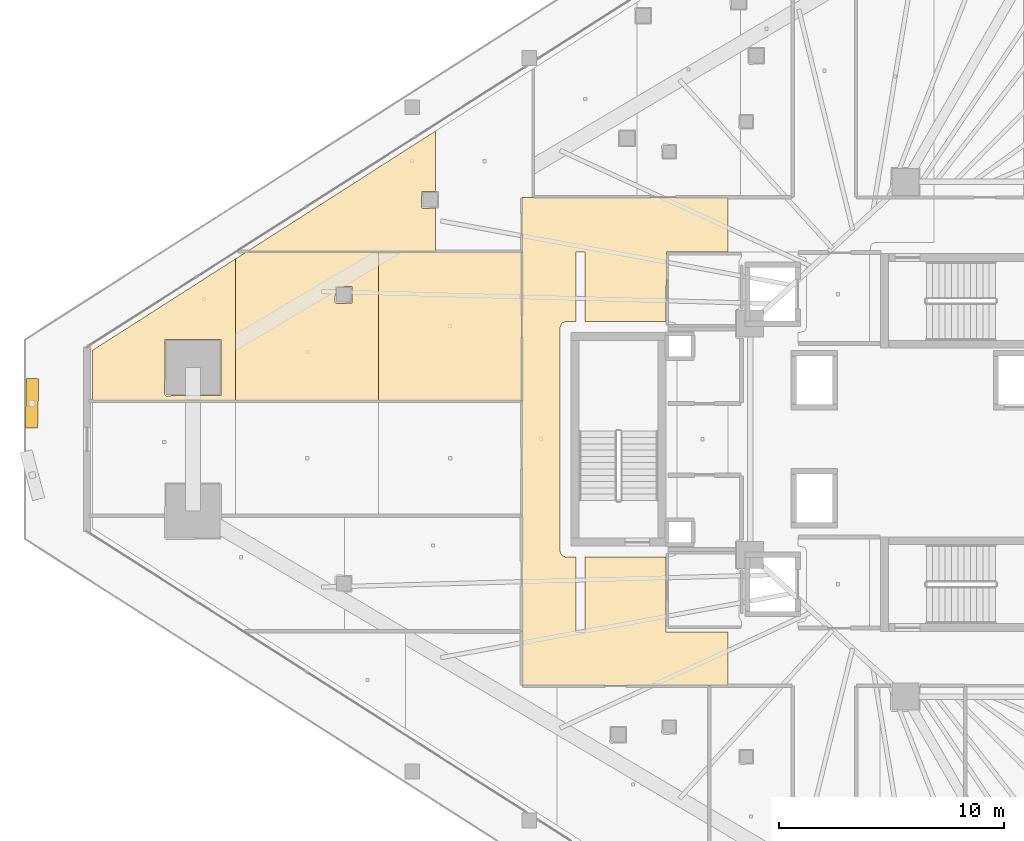
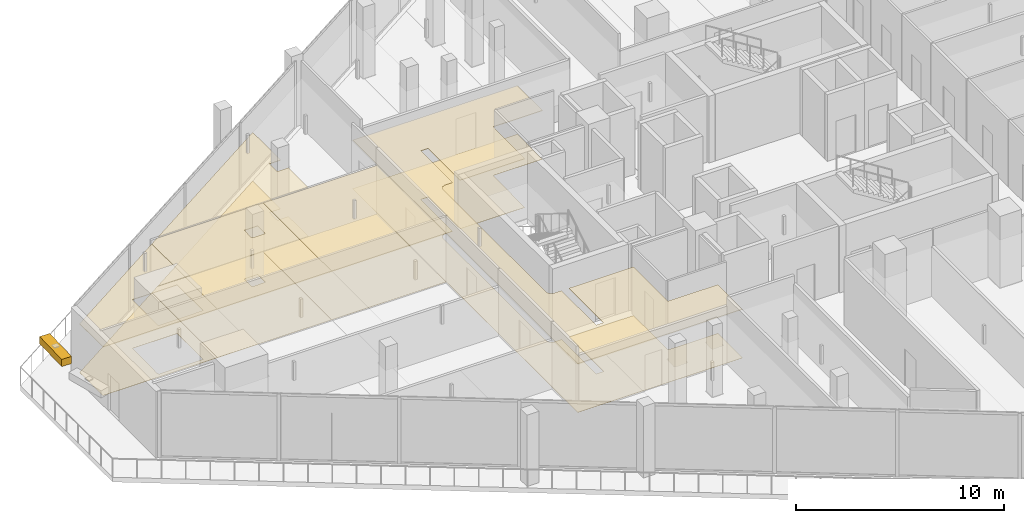
# One storey, part 40 of 44: 10 coverings, 1 shading device.
"""IFC4 building model written with IfcOpenShell, lengths in metres."""

from ifc_helpers import new_model, si_unit, direction, frame, origin, origin_2d, place, context, subcontext, project, spatial, polyline, rectangle, outline, extrude, material, layer, layer_set, type_object, element, save


model = new_model("IFC4")

# Units and contexts
model_context = context("Model", 3, precision=1e-05, world=origin(), true_north=direction((0.0, 1.0)))
body_context = subcontext(model_context, "Body", "Model", "MODEL_VIEW")
ifc_project = project(units=[si_unit("LENGTHUNIT", "METRE"), si_unit("AREAUNIT", "SQUARE_METRE"), si_unit("VOLUMEUNIT", "CUBIC_METRE"), si_unit("PLANEANGLEUNIT", "RADIAN"), si_unit("MASSUNIT", "GRAM", prefix="KILO")], contexts=[model_context])

# Site, building, storey
site_placement = place(None, origin())
site = spatial("IfcSite", under=ifc_project, at=site_placement, CompositionType="ELEMENT")
building_placement = place(site_placement, origin())
building = spatial("IfcBuilding", under=site, at=building_placement, Name="Qorvath Tower", CompositionType="ELEMENT")
storey_placement = place(building_placement, frame((0.0, 0.0, 57.60009765625)))
storey = spatial("IfcBuildingStorey", under=building, at=storey_placement, Name="L12", CompositionType="ELEMENT", Elevation=57.60009765625)

# Coverings
ifc_material_1 = material(Name="Acoustic mineral fibre ceiling tile", Category="gypsum")
ifc_layer_1 = layer(ifc_material_1, 0.030029296875)
ifc_layer_set_1 = layer_set([ifc_layer_1], Name="COV-CEIL")
covering_type_1 = type_object("IfcCoveringType", Name="COV-CEIL", PredefinedType="CEILING", material=ifc_layer_set_1)
covering_1_placement = place(storey_placement, frame((0.0, 0.0, 2.849853515625)))
element("IfcCovering", 1, at=covering_1_placement, inside=storey, type_object=covering_type_1, Name="L12 Suspended Acoustic Ceiling 007", PredefinedType="CEILING", context=body_context, shape_type="SweptSolid", body=[
    extrude(outline(polyline([(-31.481689453125, -10.946044921875), (-31.481689453125, -8.564697265625), (-34.25, -8.56494140625), (-34.2548828125, -5.239990234375), (-37.844970703125, -5.239990234375), (-37.844970703125, -8.580078125), (-38.2548828125, -8.580078125), (-38.2548828125, -5.239990234375), (-38.699951171875, -5.239990234375), (-38.876708984375, -5.166748046875), (-38.949951171875, -4.989990234375), (-38.949951171875, 4.989990234375), (-38.876708984375, 5.166748046875), (-38.699951171875, 5.239990234375), (-38.2548828125, 5.239990234375), (-38.25341796875, 8.323486328125), (-37.844970703125, 8.320068359375), (-37.844970703125, 5.239990234375), (-34.2509765625, 5.239990234375), (-34.219970703125, 8.324951171875), (-31.481689453125, 8.324951171875), (-31.481689453125, 10.74609375), (-40.64501953125, 10.7451171875), (-40.64501953125, -10.945068359375), (-31.481689453125, -10.946044921875)])), origin(), (0.0, 0.0, 1.0), 0.030029296875),
])
covering_2_placement = place(storey_placement, frame((0.0, 0.0, 2.849853515625)))
element("IfcCovering", 2, at=covering_2_placement, inside=storey, type_object=covering_type_1, Name="L12 Suspended Acoustic Ceiling 010", PredefinedType="CEILING", context=body_context, shape_type="SweptSolid", body=[
    extrude(outline(polyline([(-44.486083984375, 8.35498046875), (-44.486083984375, 10.281982421875), (-45.061279296875, 10.267333984375), (-45.121337890625, 10.327392578125), (-45.103759765625, 11.019775390625), (-44.486083984375, 11.019775390625), (-44.486083984375, 13.715087890625), (-52.87255859375, 8.35498046875), (-44.486083984375, 8.35498046875)])), origin(), (0.0, 0.0, 1.0), 0.030029296875),
])
covering_3_placement = place(storey_placement, frame((0.0, 0.0, 2.849853515625)))
element("IfcCovering", 3, at=covering_3_placement, inside=storey, type_object=covering_type_1, Name="L12 Suspended Acoustic Ceiling 045", PredefinedType="CEILING", context=body_context, shape_type="SweptSolid", body=[
    extrude(outline(polyline([(-53.38330078125, 1.716064453125), (-53.38330078125, 8.028564453125), (-59.743408203125, 3.963623046875), (-59.743408203125, 1.716064453125), (-53.38330078125, 1.716064453125)]), holes=[polyline([(-56.54296875, 1.994384765625), (-56.525390625, 4.43701171875), (-54.04052734375, 4.43701171875), (-54.04052734375, 1.9521484375), (-56.48291015625, 1.9345703125), (-56.54296875, 1.994384765625)])]), origin(), (0.0, 0.0, 1.0), 0.030029296875),
])
covering_4_placement = place(storey_placement, frame((0.0, 0.0, 2.849853515625)))
element("IfcCovering", 4, at=covering_4_placement, inside=storey, type_object=covering_type_1, Name="L12 Suspended Acoustic Ceiling 046", PredefinedType="CEILING", context=body_context, shape_type="SweptSolid", body=[
    extrude(outline(polyline([(-47.023193359375, 1.716064453125), (-47.023193359375, 8.3369140625), (-52.900634765625, 8.3369140625), (-53.38330078125, 8.028564453125), (-53.38330078125, 1.716064453125), (-47.023193359375, 1.716064453125)]), holes=[polyline([(-48.96337890625, 6.099609375), (-48.94580078125, 6.7919921875), (-48.2109375, 6.7919921875), (-48.2109375, 6.05712890625), (-48.9033203125, 6.03955078125), (-48.96337890625, 6.099609375)])]), origin(), (0.0, 0.0, 1.0), 0.030029296875),
])
covering_5_placement = place(storey_placement, frame((0.0, 0.0, 2.849853515625)))
element("IfcCovering", 5, at=covering_5_placement, inside=storey, type_object=covering_type_1, Name="L12 Suspended Acoustic Ceiling 047", PredefinedType="CEILING", context=body_context, shape_type="SweptSolid", body=[
    extrude(outline(polyline([(-40.6630859375, 1.716064453125), (-40.6630859375, 8.3369140625), (-47.023193359375, 8.3369140625), (-47.023193359375, 1.716064453125), (-40.6630859375, 1.716064453125)])), origin(), (0.0, 0.0, 1.0), 0.030029296875),
])
ifc_material_2 = material(Name="Low-VOC modular carpet tile", Category="textile")
ifc_layer_2 = layer(ifc_material_2, 0.014892578125)
ifc_layer_set_2 = layer_set([ifc_layer_2], Name="COV-FLOOR-CPT")
covering_type_2 = type_object("IfcCoveringType", Name="COV-FLOOR-CPT", PredefinedType="FLOORING", material=ifc_layer_set_2)
covering_6_placement = place(storey_placement, origin())
element("IfcCovering", 6, at=covering_6_placement, inside=storey, type_object=covering_type_2, Name="L12 Floor Finish 010", PredefinedType="FLOORING", context=body_context, shape_type="SweptSolid", body=[
    extrude(outline(polyline([(-44.486083984375, 8.35498046875), (-44.486083984375, 10.281982421875), (-45.061279296875, 10.267333984375), (-45.121337890625, 10.327392578125), (-45.103759765625, 11.019775390625), (-44.486083984375, 11.019775390625), (-44.486083984375, 13.715087890625), (-52.87255859375, 8.35498046875), (-44.486083984375, 8.35498046875)])), origin(), (0.0, 0.0, 1.0), 0.014892578125),
])
covering_7_placement = place(storey_placement, origin())
element("IfcCovering", 7, at=covering_7_placement, inside=storey, type_object=covering_type_2, Name="L12 Floor Finish 045", PredefinedType="FLOORING", context=body_context, shape_type="SweptSolid", body=[
    extrude(outline(polyline([(-53.38330078125, 1.716064453125), (-53.38330078125, 8.028564453125), (-59.743408203125, 3.963623046875), (-59.743408203125, 1.716064453125), (-53.38330078125, 1.716064453125)]), holes=[polyline([(-56.54296875, 1.994384765625), (-56.525390625, 4.43701171875), (-54.04052734375, 4.43701171875), (-54.04052734375, 1.9521484375), (-56.48291015625, 1.9345703125), (-56.54296875, 1.994384765625)])]), origin(), (0.0, 0.0, 1.0), 0.014892578125),
])
covering_8_placement = place(storey_placement, origin())
element("IfcCovering", 8, at=covering_8_placement, inside=storey, type_object=covering_type_2, Name="L12 Floor Finish 046", PredefinedType="FLOORING", context=body_context, shape_type="SweptSolid", body=[
    extrude(outline(polyline([(-47.023193359375, 1.716064453125), (-47.023193359375, 8.3369140625), (-52.900634765625, 8.3369140625), (-53.38330078125, 8.028564453125), (-53.38330078125, 1.716064453125), (-47.023193359375, 1.716064453125)]), holes=[polyline([(-48.96337890625, 6.099609375), (-48.94580078125, 6.7919921875), (-48.2109375, 6.7919921875), (-48.2109375, 6.05712890625), (-48.9033203125, 6.03955078125), (-48.96337890625, 6.099609375)])]), origin(), (0.0, 0.0, 1.0), 0.014892578125),
])
covering_9_placement = place(storey_placement, origin())
element("IfcCovering", 9, at=covering_9_placement, inside=storey, type_object=covering_type_2, Name="L12 Floor Finish 047", PredefinedType="FLOORING", context=body_context, shape_type="SweptSolid", body=[
    extrude(outline(polyline([(-40.6630859375, 1.716064453125), (-40.6630859375, 8.3369140625), (-47.023193359375, 8.3369140625), (-47.023193359375, 1.716064453125), (-40.6630859375, 1.716064453125)])), origin(), (0.0, 0.0, 1.0), 0.014892578125),
])
ifc_material_3 = material(Name="Polished epoxy terrazzo flooring", Category="concrete")
ifc_layer_3 = layer(ifc_material_3, 0.02001953125)
ifc_layer_set_3 = layer_set([ifc_layer_3], Name="COV-FLOOR-TRZ")
covering_type_3 = type_object("IfcCoveringType", Name="COV-FLOOR-TRZ", PredefinedType="FLOORING", material=ifc_layer_set_3)
covering_10_placement = place(storey_placement, origin())
element("IfcCovering", 10, at=covering_10_placement, inside=storey, type_object=covering_type_3, Name="L12 Floor Finish 007", PredefinedType="FLOORING", context=body_context, shape_type="SweptSolid", body=[
    extrude(outline(polyline([(-31.481689453125, -10.946044921875), (-31.481689453125, -8.564697265625), (-34.25, -8.56494140625), (-34.2548828125, -5.239990234375), (-37.844970703125, -5.239990234375), (-37.844970703125, -8.580078125), (-38.2548828125, -8.580078125), (-38.2548828125, -5.239990234375), (-38.699951171875, -5.239990234375), (-38.876708984375, -5.166748046875), (-38.949951171875, -4.989990234375), (-38.949951171875, 4.989990234375), (-38.876708984375, 5.166748046875), (-38.699951171875, 5.239990234375), (-38.2548828125, 5.239990234375), (-38.25341796875, 8.323486328125), (-37.844970703125, 8.320068359375), (-37.844970703125, 5.239990234375), (-34.2509765625, 5.239990234375), (-34.219970703125, 8.324951171875), (-31.481689453125, 8.324951171875), (-31.481689453125, 10.74609375), (-40.64501953125, 10.7451171875), (-40.64501953125, -10.945068359375), (-31.481689453125, -10.946044921875)])), origin(), (0.0, 0.0, 1.0), 0.014892578125),
])

# Shading device
ifc_material_4 = material(Name="Anodised bronze-champagne aluminium", Category="aluminium")
shading_device_type = type_object("IfcShadingDeviceType", Name="SD-LOUVRE", PredefinedType="JALOUSIE", material=ifc_material_4)
shading_device_placement = place(storey_placement, frame((-62.44189453125, 1.59716796875, 3.5), z_axis=(0.0, 0.0, 1.0), x_axis=(-0.021581065976, -0.999767101675, 0.0)))
element("IfcShadingDevice", 11, at=shading_device_placement, inside=storey, type_object=shading_device_type, Name="Sinusoidal Wave Louvre Blade L12-01", PredefinedType="NOTDEFINED", context=body_context, shape_type="SweptSolid", body=[
    extrude(rectangle(XDim=2.199951171875, YDim=0.550048828125, at=origin_2d()), origin(), (0.0, 0.0, 1.0), 0.419921875),
])

save(model, "model.ifc")
